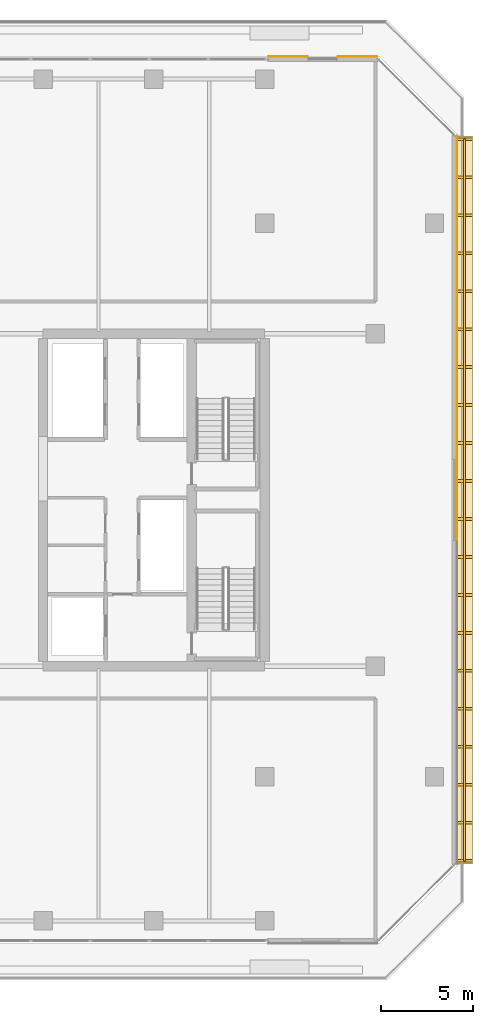
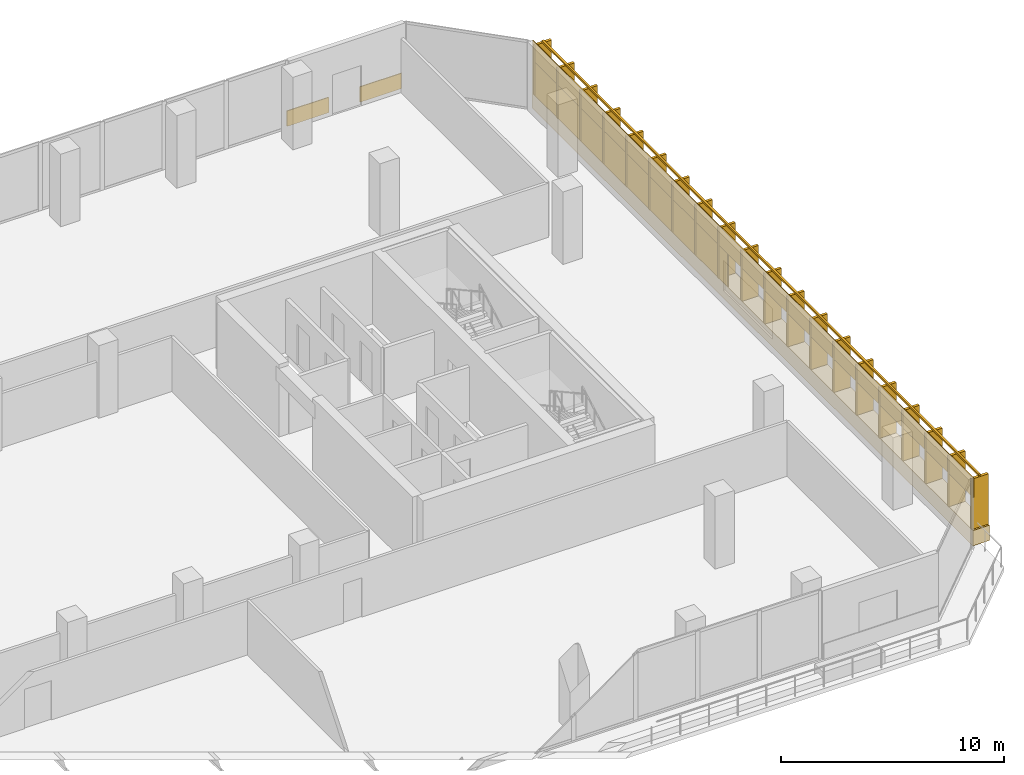
# One storey, part 38 of 38: 5 coverings, 1 railing.
"""IFC4 building model written with IfcOpenShell, lengths in metres."""

import ifcopenshell
import ifcopenshell.guid

model = None  # the IFC model being written
_history = None  # IfcOwnerHistory: only IFC2X3 demands one
_inside = {}  # id of a spatial element -> (the spatial element, [elements in it])
_under = {}  # id of a project, library or spatial element -> (it, [spatial elements below it])
_declared = {}  # id of a project -> (the project, [libraries it declares])
_typed = {}  # id of a type object -> (the type object, [elements of that type])
_made_of = {}  # id of a material, layer set ... -> (it, [elements and type objects made of it])


def new_model(schema):
    """Start an empty IFC model of exactly this schema.

    Asked for "IFC4X3", IfcOpenShell would pick the latest addendum, in which some entities
    have other attributes; the version numbers below select the first issue.
    IFC2X3 requires an IfcOwnerHistory on every rooted entity: one is made here for all.
    """
    global model, _history
    if schema == "IFC4X3":
        model = ifcopenshell.file(schema_version=(4, 3, 0, 0))
    else:
        model = ifcopenshell.file(schema=schema)
    _inside.clear()
    _under.clear()
    _declared.clear()
    _typed.clear()
    _made_of.clear()
    _history = None
    if model.schema == "IFC2X3":
        org = make("IfcOrganization", Name="unknown")
        user = make(
            "IfcPersonAndOrganization",
            ThePerson=make("IfcPerson", FamilyName="unknown"),
            TheOrganization=org,
        )
        app = make(
            "IfcApplication",
            ApplicationDeveloper=org,
            Version="unknown",
            ApplicationFullName="unknown",
            ApplicationIdentifier="unknown",
        )
        _history = make(
            "IfcOwnerHistory",
            OwningUser=user,
            OwningApplication=app,
            ChangeAction="ADDED",
            CreationDate=0,
        )
    return model


def make(cls, **values):
    """One entity of the class cls with the attributes given. An attribute that is None is left unset."""
    return model.create_entity(
        cls, **{name: value for name, value in values.items() if value is not None}
    )


def rooted(cls, **values):
    """An entity with a GlobalId (a new one), such as an element, a storey or a relation."""
    return make(cls, GlobalId=ifcopenshell.guid.new(), OwnerHistory=_history, **values)


def si_unit(unit_type, name, prefix=None):
    """IfcSIUnit, for example si_unit("LENGTHUNIT", "METRE", prefix="MILLI")."""
    return make("IfcSIUnit", UnitType=unit_type, Prefix=prefix, Name=name)


def assignment(units):
    """IfcUnitAssignment: the units of a project."""
    return None if units is None else make("IfcUnitAssignment", Units=units)


def point(xyz):
    """IfcCartesianPoint."""
    return None if xyz is None else make("IfcCartesianPoint", Coordinates=xyz)


def direction(xyz):
    """IfcDirection."""
    return None if xyz is None else make("IfcDirection", DirectionRatios=xyz)


def frame(location, z_axis=None, x_axis=None):
    """IfcAxis2Placement3D, a coordinate frame: its origin and axes. An axis left out is left unset."""
    return make(
        "IfcAxis2Placement3D",
        Location=point(location),
        Axis=direction(z_axis),
        RefDirection=direction(x_axis),
    )


def frame_2d(location, x_axis=None):
    """IfcAxis2Placement2D, a coordinate frame in the plane: its origin and x axis."""
    return make(
        "IfcAxis2Placement2D", Location=point(location), RefDirection=direction(x_axis)
    )


def origin():
    """The frame at (0, 0, 0) with its axes left unset."""
    return frame((0.0, 0.0, 0.0))


def origin_2d():
    """The frame at (0, 0) in the plane with its x axis left unset."""
    return frame_2d((0.0, 0.0))


def place(relative_to, where):
    """IfcLocalPlacement: puts the frame where relative to a parent placement (None: the world)."""
    return make(
        "IfcLocalPlacement", PlacementRelTo=relative_to, RelativePlacement=where
    )


def context(
    kind, dimensions, precision=None, world=None, true_north=None, identifier=None
):
    """IfcGeometricRepresentationContext, for example the 3D "Model" context."""
    return make(
        "IfcGeometricRepresentationContext",
        ContextIdentifier=identifier,
        ContextType=kind,
        CoordinateSpaceDimension=dimensions,
        Precision=precision,
        WorldCoordinateSystem=world,
        TrueNorth=true_north,
    )


def subcontext(parent, identifier, kind, view, scale=None):
    """IfcGeometricRepresentationSubContext, for example "Body" below "Model"."""
    return make(
        "IfcGeometricRepresentationSubContext",
        ContextIdentifier=identifier,
        ContextType=kind,
        ParentContext=parent,
        TargetScale=scale,
        TargetView=view,
    )


def project(units=None, contexts=None):
    """IfcProject with its units and contexts."""
    return rooted(
        "IfcProject",
        Name="project",
        RepresentationContexts=contexts,
        UnitsInContext=assignment(units),
    )


def spatial(cls, under=None, at=None, **own):
    """A site, building, storey or space (cls), placed at a placement, below another one or the project."""
    s = rooted(cls, ObjectPlacement=at, **own)
    if under is not None:
        _under.setdefault(under.id(), (under, []))[1].append(s)
    return s


def profile(cls, at=None, kind="AREA", **sizes):
    """A parametric profile (cls). Its sizes go by their IFC names, for example OverallWidth=200.0."""
    return make(cls, ProfileType=kind, Position=at, **sizes)


def rectangle(**sizes):
    """IfcRectangleProfileDef."""
    return profile("IfcRectangleProfileDef", **sizes)


def extrude(swept, where, along, depth):
    """IfcExtrudedAreaSolid: the profile swept, set in the frame where, extruded along a direction by depth."""
    return make(
        "IfcExtrudedAreaSolid",
        SweptArea=swept,
        Position=where,
        ExtrudedDirection=direction(along),
        Depth=depth,
    )


def shape(context_of_items, identifier, shape_type, items):
    """IfcShapeRepresentation: the items that make up one representation, for example the "Body"."""
    return make(
        "IfcShapeRepresentation",
        ContextOfItems=context_of_items,
        RepresentationIdentifier=identifier,
        RepresentationType=shape_type,
        Items=items,
    )


def material(Name=None, Category=None):
    """IfcMaterial."""
    return make("IfcMaterial", Name=Name, Category=Category)


def layer(
    of_material, thickness, ventilated=None, Name=None, Category=None, Priority=None
):
    """IfcMaterialLayer: one layer of a wall or slab, of a material (None: an air gap)."""
    return make(
        "IfcMaterialLayer",
        Material=of_material,
        LayerThickness=thickness,
        IsVentilated=ventilated,
        Name=Name,
        Category=Category,
        Priority=Priority,
    )


def layer_set(layers, Name=None):
    """IfcMaterialLayerSet."""
    return make("IfcMaterialLayerSet", MaterialLayers=layers, LayerSetName=Name)


def made_of(thing, what):
    """Note that an element or type object is made of a material, layer set ...; save() writes the relation."""
    if what is not None:
        _made_of.setdefault(what.id(), (what, []))[1].append(thing)
    return thing


def type_object(cls, material=None, **own):
    """A type object (cls), such as IfcWallType, which elements share."""
    return made_of(rooted(cls, **own), material)


def element(
    cls,
    number,
    at=None,
    inside=None,
    cuts=None,
    type_object=None,
    material=None,
    context=None,
    identifier="Body",
    shape_type=None,
    held_by="IfcProductDefinitionShape",
    body=None,
    shapes=None,
    **own,
):
    """One element of the class cls, such as IfcWall. Its Tag is "e" and its number.

    at: its placement. inside: the storey or other place that contains it. cuts: it is an
    opening in that element (IfcRelVoidsElement). A single representation is given by context,
    identifier, shape_type and body (its items); several are given by shapes. held_by: the class
    of the entity that holds the representations. save() writes the other relations.
    """
    e = rooted(cls, Tag="e%d" % number, ObjectPlacement=at, **own)
    if body is not None:
        shapes = [shape(context, identifier, shape_type, body)]
    if shapes is not None:
        e.Representation = make(held_by, Representations=shapes)
    if inside is not None:
        _inside.setdefault(inside.id(), (inside, []))[1].append(e)
    if cuts is not None:
        rooted(
            "IfcRelVoidsElement", RelatingBuildingElement=cuts, RelatedOpeningElement=e
        )
    if type_object is not None:
        _typed.setdefault(type_object.id(), (type_object, []))[1].append(e)
    return made_of(e, material)


def aggregate(whole, parts):
    """IfcRelAggregates: a whole, such as a stair, and the parts it consists of."""
    return rooted("IfcRelAggregates", RelatingObject=whole, RelatedObjects=parts)


def save(model, path):
    """Write the relations noted so far, then the file.

    IfcRelAggregates (storeys below a building ...), IfcRelContainedInSpatialStructure (elements
    in a storey), IfcRelDefinesByType, IfcRelAssociatesMaterial and IfcRelDeclares: one each for
    every whole, place, type object, material and project.
    """
    for whole, parts in _under.values():
        aggregate(whole, parts)
    for where, things in _inside.values():
        rooted(
            "IfcRelContainedInSpatialStructure",
            RelatedElements=things,
            RelatingStructure=where,
        )
    for kind, things in _typed.values():
        rooted("IfcRelDefinesByType", RelatedObjects=things, RelatingType=kind)
    for what, things in _made_of.values():
        rooted("IfcRelAssociatesMaterial", RelatedObjects=things, RelatingMaterial=what)
    for by, libraries in _declared.values():
        rooted("IfcRelDeclares", RelatingContext=by, RelatedDefinitions=libraries)
    model.write(path)


model = new_model("IFC4")

# Units and contexts
model_context = context("Model", 3, precision=1e-05, world=origin(), true_north=direction((0.0, 1.0)))
body_context = subcontext(model_context, "Body", "Model", "MODEL_VIEW")
ifc_project = project(units=[si_unit("LENGTHUNIT", "METRE"), si_unit("AREAUNIT", "SQUARE_METRE"), si_unit("VOLUMEUNIT", "CUBIC_METRE"), si_unit("PLANEANGLEUNIT", "RADIAN"), si_unit("MASSUNIT", "GRAM", prefix="KILO")], contexts=[model_context])

# Site, building, storey
site_placement = place(None, origin())
site = spatial("IfcSite", under=ifc_project, at=site_placement, CompositionType="ELEMENT")
building_placement = place(site_placement, origin())
building = spatial("IfcBuilding", under=site, at=building_placement, Name="Tanjung Sevakor Pilgrim Tower", CompositionType="ELEMENT")
storey_placement = place(building_placement, frame((0.0, 0.0, 78.2099609375)))
storey = spatial("IfcBuildingStorey", under=building, at=storey_placement, Name="L21", CompositionType="ELEMENT", Elevation=78.2099609375)

# Coverings
ifc_material_1 = material(Name="Reconstructed Limestone Cladding", Category="masonry")
ifc_layer = layer(ifc_material_1, 0.044921875)
ifc_layer_set = layer_set([ifc_layer], Name="COV-CLAD-LIMESTONE")
covering_type = type_object("IfcCoveringType", Name="COV-CLAD-LIMESTONE", PredefinedType="CLADDING", material=ifc_layer_set)
covering_1_placement = place(storey_placement, frame((100.830078125, 33.60009765625, 0.009765625), z_axis=(0.0, 0.0, 1.0), x_axis=(0.0, 1.0, 0.0)))
element("IfcCovering", 1, at=covering_1_placement, inside=storey, type_object=covering_type, Name="L21 Warm Limestone Sill Spandrel EW-L21-MAIN-7-1", PredefinedType="CLADDING", context=body_context, shape_type="SweptSolid", body=[
    extrude(rectangle(XDim=39.41650390625, YDim=0.860107421875, at=origin_2d()), origin(), (0.0, 0.0, 1.0), 0.840087890625),
])
covering_2_placement = place(storey_placement, frame((100.422607421875, 33.60009765625, 2.66015625), z_axis=(0.0, 0.0, 1.0), x_axis=(0.0, 1.0, 0.0)))
element("IfcCovering", 2, at=covering_2_placement, inside=storey, type_object=covering_type, Name="L21 Warm Limestone Cornice Spandrel EW-L21-MAIN-7", PredefinedType="CLADDING", context=body_context, shape_type="SweptSolid", body=[
    extrude(rectangle(XDim=39.456298828125, YDim=0.044921875, at=origin_2d()), origin(), (0.0, 0.0, 1.0), 1.070068359375),
])
covering_3_placement = place(storey_placement, frame((100.422607421875, 44.5791015625, 0.85009765625), z_axis=(0.0, 0.0, 1.0), x_axis=(0.0, 1.0, 0.0)))
element("IfcCovering", 3, at=covering_3_placement, inside=storey, type_object=covering_type, Name="L21 Warm Limestone Pier Panel EW-L21-MAIN-7-2", PredefinedType="CLADDING", context=body_context, shape_type="SweptSolid", body=[
    extrude(rectangle(XDim=17.458251953125, YDim=0.044921875, at=origin_2d()), origin(), (0.0, 0.0, 1.0), 1.81005859375),
])
for number, where, z_axis, x_axis, name in (
    (4, (95.033203125, 57.62255859375, 0.009765625), (0.0, 0.0, 1.0), (-1.0, 0.0, 0.0), "L21 Warm Limestone Sill Spandrel EW-SKY-L21-N1-1"),
    (5, (91.26318359375, 57.62255859375, 0.009765625), (0.0, 0.0, 1.0), (-1.0, 0.0, 0.0), "L21 Warm Limestone Sill Spandrel EW-SKY-L21-N1-2"),
):
    element("IfcCovering", number, at=place(storey_placement, frame(where, z_axis=z_axis, x_axis=x_axis)), inside=storey, type_object=covering_type, Name=name, PredefinedType="CLADDING", context=body_context, shape_type="SweptSolid", body=[
        extrude(rectangle(XDim=2.14990234375, YDim=0.044921875, at=origin_2d()), origin(), (0.0, 0.0, 1.0), 0.840087890625),
    ])

# Railing
ifc_material_2 = material(Name="Anodised Bronze Aluminium 6063-T6", Category="aluminium")
railing_type = type_object("IfcRailingType", Name="RL-FIN-SCREEN", PredefinedType="BALUSTRADE", material=ifc_material_2)
railing_placement = place(storey_placement, frame((100.824951171875, 14.0517578125, 0.840087890625)))
element("IfcRailing", 6, at=railing_placement, inside=storey, type_object=railing_type, Name="L21 Vertical Bronze-Gold Solar Fin Screen FNEND-EW-L21-MAIN-7-1", PredefinedType="BALUSTRADE", context=body_context, shape_type="SweptSolid", body=[
    extrude(rectangle(XDim=0.105, YDim=0.105), frame((0.0, 0.0, 2.817626953125), z_axis=(0.0, 1.0, 0.0), x_axis=(-1.0, 0.0, 0.0)), (0.0, 0.0, 1.0), 39.096435546875),
    extrude(rectangle(XDim=0.85, YDim=0.14), origin(), (0.0, 0.0, 1.0), 2.76513671875),
    extrude(rectangle(XDim=0.85, YDim=0.14), frame((0.0, 2.0576171875, 0.0)), (0.0, 0.0, 1.0), 2.76513671875),
    extrude(rectangle(XDim=0.85, YDim=0.14), frame((0.0, 4.115478515625, 0.0)), (0.0, 0.0, 1.0), 2.76513671875),
    extrude(rectangle(XDim=0.85, YDim=0.14), frame((0.0, 6.173095703125, 0.0)), (0.0, 0.0, 1.0), 2.76513671875),
    extrude(rectangle(XDim=0.85, YDim=0.14), frame((0.0, 8.230712890625, 0.0)), (0.0, 0.0, 1.0), 2.76513671875),
    extrude(rectangle(XDim=0.85, YDim=0.14), frame((0.0, 10.28857421875, 0.0)), (0.0, 0.0, 1.0), 2.76513671875),
    extrude(rectangle(XDim=0.85, YDim=0.14), frame((0.0, 12.34619140625, 0.0)), (0.0, 0.0, 1.0), 2.76513671875),
    extrude(rectangle(XDim=0.85, YDim=0.14), frame((0.0, 14.404052734375, 0.0)), (0.0, 0.0, 1.0), 2.76513671875),
    extrude(rectangle(XDim=0.85, YDim=0.14), frame((0.0, 16.461669921875, 0.0)), (0.0, 0.0, 1.0), 2.76513671875),
    extrude(rectangle(XDim=0.85, YDim=0.14), frame((0.0, 18.519287109375, 0.0)), (0.0, 0.0, 1.0), 2.76513671875),
    extrude(rectangle(XDim=0.85, YDim=0.14), frame((0.0, 20.5771484375, 0.0)), (0.0, 0.0, 1.0), 2.76513671875),
    extrude(rectangle(XDim=0.85, YDim=0.14), frame((0.0, 22.634765625, 0.0)), (0.0, 0.0, 1.0), 2.76513671875),
    extrude(rectangle(XDim=0.85, YDim=0.14), frame((0.0, 24.6923828125, 0.0)), (0.0, 0.0, 1.0), 2.76513671875),
    extrude(rectangle(XDim=0.85, YDim=0.14), frame((0.0, 26.750244140625, 0.0)), (0.0, 0.0, 1.0), 2.76513671875),
    extrude(rectangle(XDim=0.85, YDim=0.14), frame((0.0, 28.807861328125, 0.0)), (0.0, 0.0, 1.0), 2.76513671875),
    extrude(rectangle(XDim=0.85, YDim=0.14), frame((0.0, 30.86572265625, 0.0)), (0.0, 0.0, 1.0), 2.76513671875),
    extrude(rectangle(XDim=0.85, YDim=0.14), frame((0.0, 32.92333984375, 0.0)), (0.0, 0.0, 1.0), 2.76513671875),
    extrude(rectangle(XDim=0.85, YDim=0.14), frame((0.0, 34.98095703125, 0.0)), (0.0, 0.0, 1.0), 2.76513671875),
    extrude(rectangle(XDim=0.85, YDim=0.14), frame((0.0, 37.038818359375, 0.0)), (0.0, 0.0, 1.0), 2.76513671875),
    extrude(rectangle(XDim=0.85, YDim=0.14), frame((0.0, 39.096435546875, 0.0)), (0.0, 0.0, 1.0), 2.76513671875),
])

save(model, "model.ifc")
